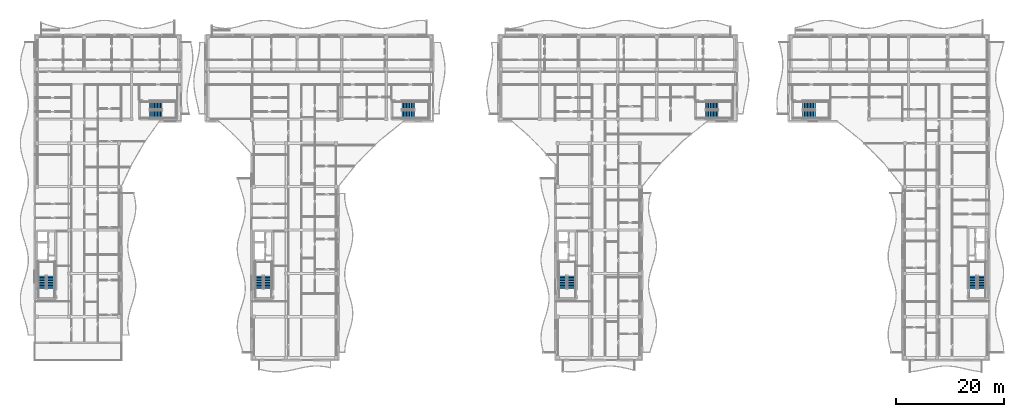
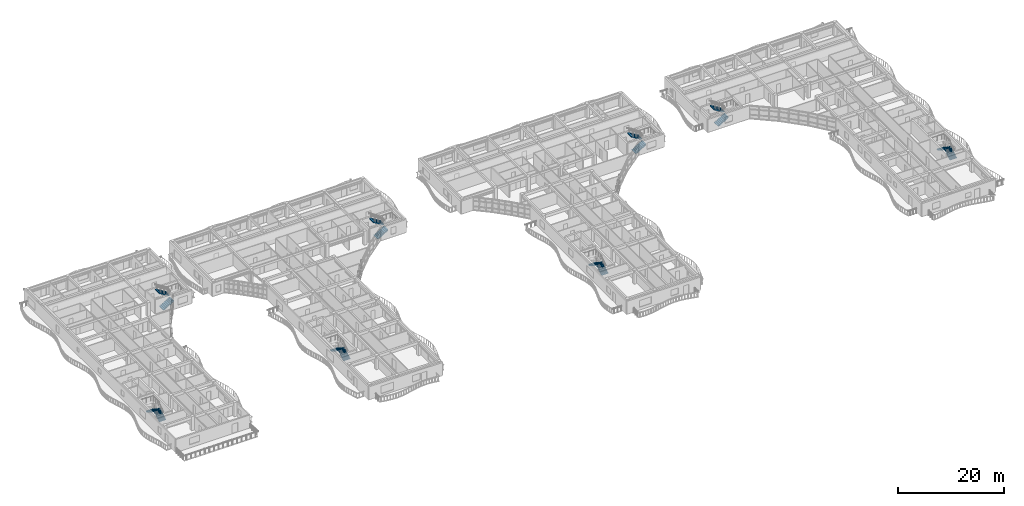
# One storey, part 47 of 72: 16 stair flights, 8 elements without a shape of their own.
"""IFC4 building model written with IfcOpenShell, lengths in metres."""

from ifc_helpers import new_model, si_unit, direction, frame, origin, place, context, subcontext, project, spatial, polyline, outline, extrude, material, type_object, element, aggregate, save


model = new_model("IFC4")

# Units and contexts
model_context = context("Model", 3, precision=1e-05, world=origin(), true_north=direction((0.0, 1.0)))
body_context = subcontext(model_context, "Body", "Model", "MODEL_VIEW")
ifc_project = project(units=[si_unit("LENGTHUNIT", "METRE"), si_unit("AREAUNIT", "SQUARE_METRE"), si_unit("VOLUMEUNIT", "CUBIC_METRE"), si_unit("PLANEANGLEUNIT", "RADIAN"), si_unit("MASSUNIT", "GRAM", prefix="KILO")], contexts=[model_context])

# Site, building, storey
site_placement = place(None, origin())
site = spatial("IfcSite", under=ifc_project, at=site_placement, CompositionType="ELEMENT")
building_placement = place(site_placement, origin())
building = spatial("IfcBuilding", under=site, at=building_placement, Name="Keldmere Railside Commons", CompositionType="ELEMENT")
storey_placement = place(building_placement, frame((0.0, 0.0, 16.9599609375)))
storey = spatial("IfcBuildingStorey", under=building, at=storey_placement, Name="L05", CompositionType="ELEMENT", Elevation=16.9599609375)

# Stair, stair flights
ifc_material = material(Name="Concrete H-30 (C30/37)", Category="concrete")
stair_type_1 = type_object("IfcStairType", Name="Basement Garage Dogleg Escape Stair 1450", PredefinedType="HALF_TURN_STAIR", material=ifc_material)
stair_1_placement = place(storey_placement, origin())
stair_1 = element("IfcStair", 1, at=stair_1_placement, inside=storey, type_object=stair_type_1, Name="L05 Block B Primary Escape Stair 1", PredefinedType="HALF_TURN_STAIR")
stair_flight_type_1 = type_object("IfcStairFlightType", Name="Basement Escape Stair Flight 1450", PredefinedType="STRAIGHT", material=ifc_material)
stair_flight_1_placement = place(storey_placement, frame((106.97509765625, 69.199951171875, 0.0), z_axis=(0.0, 0.0, 1.0), x_axis=(0.0, 1.0, 0.0)))
stair_flight_1 = element("IfcStairFlight", 2, at=stair_flight_1_placement, type_object=stair_flight_type_1, Name="ST-B1 flight 1", NumberOfRisers=9, NumberOfTreads=8, PredefinedType="STRAIGHT", RiserHeight=0.177777778, TreadLength=0.29, context=body_context, shape_type="SweptSolid", body=[
    extrude(outline(polyline([(0.0, 0.0), (0.0, 0.177734375), (0.2900390625, 0.177734375), (0.2900390625, 0.35546875), (0.580078125, 0.35546875), (0.580078125, 0.533447265625), (0.8701171875, 0.533447265625), (0.8701171875, 0.711181640625), (1.159912109375, 0.711181640625), (1.159912109375, 0.888916015625), (1.449951171875, 0.888916015625), (1.449951171875, 1.066650390625), (1.739990234375, 1.066650390625), (1.739990234375, 1.244384765625), (2.030029296875, 1.244384765625), (2.030029296875, 1.422119140625), (2.320068359375, 1.422119140625), (2.320068359375, 1.60009765625), (2.320068359375, 1.211181640625), (0.34423828125, 0.0), (0.0, 0.0)])), frame((0.0, 0.72509765625, 0.0), z_axis=(0.0, -1.0, 0.0), x_axis=(1.0, 0.0, 0.0)), (0.0, 0.0, 1.0), 1.449951171875),
])
stair_flight_2_placement = place(storey_placement, frame((105.375, 71.52001953125, 1.60009765625), z_axis=(0.0, 0.0, 1.0), x_axis=(0.0, -1.0, 0.0)))
stair_flight_2 = element("IfcStairFlight", 3, at=stair_flight_2_placement, type_object=stair_flight_type_1, Name="ST-B1 flight 2", NumberOfRisers=9, NumberOfTreads=8, PredefinedType="STRAIGHT", RiserHeight=0.177777778, TreadLength=0.29, context=body_context, shape_type="SweptSolid", body=[
    extrude(outline(polyline([(0.0, 0.0), (0.0, 0.177734375), (0.2900390625, 0.177734375), (0.2900390625, 0.35546875), (0.580078125, 0.35546875), (0.580078125, 0.533447265625), (0.8701171875, 0.533447265625), (0.8701171875, 0.711181640625), (1.159912109375, 0.711181640625), (1.159912109375, 0.888916015625), (1.449951171875, 0.888916015625), (1.449951171875, 1.066650390625), (1.739990234375, 1.066650390625), (1.739990234375, 1.244384765625), (2.030029296875, 1.244384765625), (2.030029296875, 1.422119140625), (2.320068359375, 1.422119140625), (2.320068359375, 1.60009765625), (2.320068359375, 1.211181640625), (0.34423828125, 0.0), (0.0, 0.0)])), frame((0.0, 0.72509765625, 0.0), z_axis=(0.0, -1.0, 0.0), x_axis=(1.0, 0.0, 0.0)), (0.0, 0.0, 1.0), 1.449951171875),
])
aggregate(stair_1, [stair_flight_1, stair_flight_2])

stair_2_placement = place(storey_placement, origin())
stair_2 = element("IfcStair", 4, at=stair_2_placement, inside=storey, type_object=stair_type_1, Name="L05 Block B Secondary Escape Stair 2", PredefinedType="HALF_TURN_STAIR")
stair_flight_3_placement = place(storey_placement, frame((131.699951171875, 101.324951171875, 0.0), z_axis=(0.0, 0.0, 1.0), x_axis=(1.0, 0.0, 0.0)))
stair_flight_3 = element("IfcStairFlight", 5, at=stair_flight_3_placement, type_object=stair_flight_type_1, Name="ST-B2 flight 1", NumberOfRisers=9, NumberOfTreads=8, PredefinedType="STRAIGHT", RiserHeight=0.177777778, TreadLength=0.29, context=body_context, shape_type="SweptSolid", body=[
    extrude(outline(polyline([(0.0, 0.0), (0.0, 0.177734375), (0.2900390625, 0.177734375), (0.2900390625, 0.35546875), (0.580078125, 0.35546875), (0.580078125, 0.533447265625), (0.8701171875, 0.533447265625), (0.8701171875, 0.711181640625), (1.159912109375, 0.711181640625), (1.159912109375, 0.888916015625), (1.449951171875, 0.888916015625), (1.449951171875, 1.066650390625), (1.739990234375, 1.066650390625), (1.739990234375, 1.244384765625), (2.030029296875, 1.244384765625), (2.030029296875, 1.422119140625), (2.320068359375, 1.422119140625), (2.320068359375, 1.60009765625), (2.320068359375, 1.211181640625), (0.34423828125, 0.0), (0.0, 0.0)])), frame((0.0, 0.72509765625, 0.0), z_axis=(0.0, -1.0, 0.0), x_axis=(1.0, 0.0, 0.0)), (0.0, 0.0, 1.0), 1.449951171875),
])
stair_flight_4_placement = place(storey_placement, frame((134.02001953125, 102.925048828125, 1.60009765625), z_axis=(0.0, 0.0, 1.0), x_axis=(-1.0, 0.0, 0.0)))
stair_flight_4 = element("IfcStairFlight", 6, at=stair_flight_4_placement, type_object=stair_flight_type_1, Name="ST-B2 flight 2", NumberOfRisers=9, NumberOfTreads=8, PredefinedType="STRAIGHT", RiserHeight=0.177777778, TreadLength=0.29, context=body_context, shape_type="SweptSolid", body=[
    extrude(outline(polyline([(0.0, 0.0), (0.0, 0.177734375), (0.2900390625, 0.177734375), (0.2900390625, 0.35546875), (0.580078125, 0.35546875), (0.580078125, 0.533447265625), (0.8701171875, 0.533447265625), (0.8701171875, 0.711181640625), (1.159912109375, 0.711181640625), (1.159912109375, 0.888916015625), (1.449951171875, 0.888916015625), (1.449951171875, 1.066650390625), (1.739990234375, 1.066650390625), (1.739990234375, 1.244384765625), (2.030029296875, 1.244384765625), (2.030029296875, 1.422119140625), (2.320068359375, 1.422119140625), (2.320068359375, 1.60009765625), (2.320068359375, 1.211181640625), (0.34423828125, 0.0), (0.0, 0.0)])), frame((0.0, 0.72509765625, 0.0), z_axis=(0.0, -1.0, 0.0), x_axis=(1.0, 0.0, 0.0)), (0.0, 0.0, 1.0), 1.449951171875),
])
aggregate(stair_2, [stair_flight_3, stair_flight_4])

stair_type_2 = type_object("IfcStairType", Name="Residential Core Dogleg Stair 1450", PredefinedType="HALF_TURN_STAIR", material=ifc_material)
stair_3_placement = place(storey_placement, origin())
stair_3 = element("IfcStair", 7, at=stair_3_placement, inside=storey, type_object=stair_type_2, Name="L05 Block D Primary Escape Stair 1", PredefinedType="HALF_TURN_STAIR")
stair_flight_type_2 = type_object("IfcStairFlightType", Name="Residential Core Stair Flight 1450", PredefinedType="STRAIGHT", material=ifc_material)
stair_flight_5_placement = place(storey_placement, frame((10.97509765625, 69.199951171875, 0.0), z_axis=(0.0, 0.0, 1.0), x_axis=(0.0, 1.0, 0.0)))
stair_flight_5 = element("IfcStairFlight", 8, at=stair_flight_5_placement, type_object=stair_flight_type_2, Name="ST-D1 flight 1", NumberOfRisers=9, NumberOfTreads=8, PredefinedType="STRAIGHT", RiserHeight=0.177777778, TreadLength=0.29, context=body_context, shape_type="SweptSolid", body=[
    extrude(outline(polyline([(0.0, 0.0), (0.0, 0.177734375), (0.2900390625, 0.177734375), (0.2900390625, 0.35546875), (0.580078125, 0.35546875), (0.580078125, 0.533447265625), (0.8701171875, 0.533447265625), (0.8701171875, 0.711181640625), (1.159912109375, 0.711181640625), (1.159912109375, 0.888916015625), (1.449951171875, 0.888916015625), (1.449951171875, 1.066650390625), (1.739990234375, 1.066650390625), (1.739990234375, 1.244384765625), (2.030029296875, 1.244384765625), (2.030029296875, 1.422119140625), (2.320068359375, 1.422119140625), (2.320068359375, 1.60009765625), (2.320068359375, 1.211181640625), (0.34423828125, 0.0), (0.0, 0.0)])), frame((0.0, 0.72509765625, 0.0), z_axis=(0.0, -1.0, 0.0), x_axis=(1.0, 0.0, 0.0)), (0.0, 0.0, 1.0), 1.449951171875),
])
stair_flight_6_placement = place(storey_placement, frame((9.375, 71.52001953125, 1.60009765625), z_axis=(0.0, 0.0, 1.0), x_axis=(0.0, -1.0, 0.0)))
stair_flight_6 = element("IfcStairFlight", 9, at=stair_flight_6_placement, type_object=stair_flight_type_2, Name="ST-D1 flight 2", NumberOfRisers=9, NumberOfTreads=8, PredefinedType="STRAIGHT", RiserHeight=0.177777778, TreadLength=0.29, context=body_context, shape_type="SweptSolid", body=[
    extrude(outline(polyline([(0.0, 0.0), (0.0, 0.177734375), (0.2900390625, 0.177734375), (0.2900390625, 0.35546875), (0.580078125, 0.35546875), (0.580078125, 0.533447265625), (0.8701171875, 0.533447265625), (0.8701171875, 0.711181640625), (1.159912109375, 0.711181640625), (1.159912109375, 0.888916015625), (1.449951171875, 0.888916015625), (1.449951171875, 1.066650390625), (1.739990234375, 1.066650390625), (1.739990234375, 1.244384765625), (2.030029296875, 1.244384765625), (2.030029296875, 1.422119140625), (2.320068359375, 1.422119140625), (2.320068359375, 1.60009765625), (2.320068359375, 1.211181640625), (0.34423828125, 0.0), (0.0, 0.0)])), frame((0.0, 0.72509765625, 0.0), z_axis=(0.0, -1.0, 0.0), x_axis=(1.0, 0.0, 0.0)), (0.0, 0.0, 1.0), 1.449951171875),
])
aggregate(stair_3, [stair_flight_5, stair_flight_6])

stair_4_placement = place(storey_placement, origin())
stair_4 = element("IfcStair", 10, at=stair_4_placement, inside=storey, type_object=stair_type_2, Name="L05 Block D Secondary Escape Stair 2", PredefinedType="HALF_TURN_STAIR")
stair_flight_7_placement = place(storey_placement, frame((29.199951171875, 101.324951171875, 0.0), z_axis=(0.0, 0.0, 1.0), x_axis=(1.0, 0.0, 0.0)))
stair_flight_7 = element("IfcStairFlight", 11, at=stair_flight_7_placement, type_object=stair_flight_type_2, Name="ST-D2 flight 1", NumberOfRisers=9, NumberOfTreads=8, PredefinedType="STRAIGHT", RiserHeight=0.177777778, TreadLength=0.29, context=body_context, shape_type="SweptSolid", body=[
    extrude(outline(polyline([(0.0, 0.0), (0.0, 0.177734375), (0.2900390625, 0.177734375), (0.2900390625, 0.35546875), (0.580078125, 0.35546875), (0.580078125, 0.533447265625), (0.8701171875, 0.533447265625), (0.8701171875, 0.711181640625), (1.159912109375, 0.711181640625), (1.159912109375, 0.888916015625), (1.449951171875, 0.888916015625), (1.449951171875, 1.066650390625), (1.739990234375, 1.066650390625), (1.739990234375, 1.244384765625), (2.030029296875, 1.244384765625), (2.030029296875, 1.422119140625), (2.320068359375, 1.422119140625), (2.320068359375, 1.60009765625), (2.320068359375, 1.211181640625), (0.34423828125, 0.0), (0.0, 0.0)])), frame((0.0, 0.72509765625, 0.0), z_axis=(0.0, -1.0, 0.0), x_axis=(1.0, 0.0, 0.0)), (0.0, 0.0, 1.0), 1.449951171875),
])
stair_flight_8_placement = place(storey_placement, frame((31.52001953125, 102.925048828125, 1.60009765625), z_axis=(0.0, 0.0, 1.0), x_axis=(-1.0, 0.0, 0.0)))
stair_flight_8 = element("IfcStairFlight", 12, at=stair_flight_8_placement, type_object=stair_flight_type_2, Name="ST-D2 flight 2", NumberOfRisers=9, NumberOfTreads=8, PredefinedType="STRAIGHT", RiserHeight=0.177777778, TreadLength=0.29, context=body_context, shape_type="SweptSolid", body=[
    extrude(outline(polyline([(0.0, 0.0), (0.0, 0.177734375), (0.2900390625, 0.177734375), (0.2900390625, 0.35546875), (0.580078125, 0.35546875), (0.580078125, 0.533447265625), (0.8701171875, 0.533447265625), (0.8701171875, 0.711181640625), (1.159912109375, 0.711181640625), (1.159912109375, 0.888916015625), (1.449951171875, 0.888916015625), (1.449951171875, 1.066650390625), (1.739990234375, 1.066650390625), (1.739990234375, 1.244384765625), (2.030029296875, 1.244384765625), (2.030029296875, 1.422119140625), (2.320068359375, 1.422119140625), (2.320068359375, 1.60009765625), (2.320068359375, 1.211181640625), (0.34423828125, 0.0), (0.0, 0.0)])), frame((0.0, 0.72509765625, 0.0), z_axis=(0.0, -1.0, 0.0), x_axis=(1.0, 0.0, 0.0)), (0.0, 0.0, 1.0), 1.449951171875),
])
aggregate(stair_4, [stair_flight_7, stair_flight_8])

stair_5_placement = place(storey_placement, origin())
stair_5 = element("IfcStair", 13, at=stair_5_placement, inside=storey, type_object=stair_type_2, Name="L05 Block C Primary Escape Stair 1", PredefinedType="HALF_TURN_STAIR")
stair_flight_9_placement = place(storey_placement, frame((50.97509765625, 69.199951171875, 0.0), z_axis=(0.0, 0.0, 1.0), x_axis=(0.0, 1.0, 0.0)))
stair_flight_9 = element("IfcStairFlight", 14, at=stair_flight_9_placement, type_object=stair_flight_type_2, Name="ST-C1 flight 1", NumberOfRisers=9, NumberOfTreads=8, PredefinedType="STRAIGHT", RiserHeight=0.177777778, TreadLength=0.29, context=body_context, shape_type="SweptSolid", body=[
    extrude(outline(polyline([(0.0, 0.0), (0.0, 0.177734375), (0.2900390625, 0.177734375), (0.2900390625, 0.35546875), (0.580078125, 0.35546875), (0.580078125, 0.533447265625), (0.8701171875, 0.533447265625), (0.8701171875, 0.711181640625), (1.159912109375, 0.711181640625), (1.159912109375, 0.888916015625), (1.449951171875, 0.888916015625), (1.449951171875, 1.066650390625), (1.739990234375, 1.066650390625), (1.739990234375, 1.244384765625), (2.030029296875, 1.244384765625), (2.030029296875, 1.422119140625), (2.320068359375, 1.422119140625), (2.320068359375, 1.60009765625), (2.320068359375, 1.211181640625), (0.34423828125, 0.0), (0.0, 0.0)])), frame((0.0, 0.72509765625, 0.0), z_axis=(0.0, -1.0, 0.0), x_axis=(1.0, 0.0, 0.0)), (0.0, 0.0, 1.0), 1.449951171875),
])
stair_flight_10_placement = place(storey_placement, frame((49.375, 71.52001953125, 1.60009765625), z_axis=(0.0, 0.0, 1.0), x_axis=(0.0, -1.0, 0.0)))
stair_flight_10 = element("IfcStairFlight", 15, at=stair_flight_10_placement, type_object=stair_flight_type_2, Name="ST-C1 flight 2", NumberOfRisers=9, NumberOfTreads=8, PredefinedType="STRAIGHT", RiserHeight=0.177777778, TreadLength=0.29, context=body_context, shape_type="SweptSolid", body=[
    extrude(outline(polyline([(0.0, 0.0), (0.0, 0.177734375), (0.2900390625, 0.177734375), (0.2900390625, 0.35546875), (0.580078125, 0.35546875), (0.580078125, 0.533447265625), (0.8701171875, 0.533447265625), (0.8701171875, 0.711181640625), (1.159912109375, 0.711181640625), (1.159912109375, 0.888916015625), (1.449951171875, 0.888916015625), (1.449951171875, 1.066650390625), (1.739990234375, 1.066650390625), (1.739990234375, 1.244384765625), (2.030029296875, 1.244384765625), (2.030029296875, 1.422119140625), (2.320068359375, 1.422119140625), (2.320068359375, 1.60009765625), (2.320068359375, 1.211181640625), (0.34423828125, 0.0), (0.0, 0.0)])), frame((0.0, 0.72509765625, 0.0), z_axis=(0.0, -1.0, 0.0), x_axis=(1.0, 0.0, 0.0)), (0.0, 0.0, 1.0), 1.449951171875),
])
aggregate(stair_5, [stair_flight_9, stair_flight_10])

stair_6_placement = place(storey_placement, origin())
stair_6 = element("IfcStair", 16, at=stair_6_placement, inside=storey, type_object=stair_type_2, Name="L05 Block C Secondary Escape Stair 2", PredefinedType="HALF_TURN_STAIR")
stair_flight_11_placement = place(storey_placement, frame((75.699951171875, 101.324951171875, 0.0), z_axis=(0.0, 0.0, 1.0), x_axis=(1.0, 0.0, 0.0)))
stair_flight_11 = element("IfcStairFlight", 17, at=stair_flight_11_placement, type_object=stair_flight_type_2, Name="ST-C2 flight 1", NumberOfRisers=9, NumberOfTreads=8, PredefinedType="STRAIGHT", RiserHeight=0.177777778, TreadLength=0.29, context=body_context, shape_type="SweptSolid", body=[
    extrude(outline(polyline([(0.0, 0.0), (0.0, 0.177734375), (0.2900390625, 0.177734375), (0.2900390625, 0.35546875), (0.580078125, 0.35546875), (0.580078125, 0.533447265625), (0.8701171875, 0.533447265625), (0.8701171875, 0.711181640625), (1.159912109375, 0.711181640625), (1.159912109375, 0.888916015625), (1.449951171875, 0.888916015625), (1.449951171875, 1.066650390625), (1.739990234375, 1.066650390625), (1.739990234375, 1.244384765625), (2.030029296875, 1.244384765625), (2.030029296875, 1.422119140625), (2.320068359375, 1.422119140625), (2.320068359375, 1.60009765625), (2.320068359375, 1.211181640625), (0.34423828125, 0.0), (0.0, 0.0)])), frame((0.0, 0.72509765625, 0.0), z_axis=(0.0, -1.0, 0.0), x_axis=(1.0, 0.0, 0.0)), (0.0, 0.0, 1.0), 1.449951171875),
])
stair_flight_12_placement = place(storey_placement, frame((78.02001953125, 102.925048828125, 1.60009765625), z_axis=(0.0, 0.0, 1.0), x_axis=(-1.0, 0.0, 0.0)))
stair_flight_12 = element("IfcStairFlight", 18, at=stair_flight_12_placement, type_object=stair_flight_type_2, Name="ST-C2 flight 2", NumberOfRisers=9, NumberOfTreads=8, PredefinedType="STRAIGHT", RiserHeight=0.177777778, TreadLength=0.29, context=body_context, shape_type="SweptSolid", body=[
    extrude(outline(polyline([(0.0, 0.0), (0.0, 0.177734375), (0.2900390625, 0.177734375), (0.2900390625, 0.35546875), (0.580078125, 0.35546875), (0.580078125, 0.533447265625), (0.8701171875, 0.533447265625), (0.8701171875, 0.711181640625), (1.159912109375, 0.711181640625), (1.159912109375, 0.888916015625), (1.449951171875, 0.888916015625), (1.449951171875, 1.066650390625), (1.739990234375, 1.066650390625), (1.739990234375, 1.244384765625), (2.030029296875, 1.244384765625), (2.030029296875, 1.422119140625), (2.320068359375, 1.422119140625), (2.320068359375, 1.60009765625), (2.320068359375, 1.211181640625), (0.34423828125, 0.0), (0.0, 0.0)])), frame((0.0, 0.72509765625, 0.0), z_axis=(0.0, -1.0, 0.0), x_axis=(1.0, 0.0, 0.0)), (0.0, 0.0, 1.0), 1.449951171875),
])
aggregate(stair_6, [stair_flight_11, stair_flight_12])

stair_7_placement = place(storey_placement, origin())
stair_7 = element("IfcStair", 19, at=stair_7_placement, inside=storey, type_object=stair_type_2, Name="L05 Block A Primary Escape Stair 1", PredefinedType="HALF_TURN_STAIR")
stair_flight_13_placement = place(storey_placement, frame((182.574951171875, 69.199951171875, 0.0), z_axis=(0.0, 0.0, 1.0), x_axis=(0.0, 1.0, 0.0)))
stair_flight_13 = element("IfcStairFlight", 20, at=stair_flight_13_placement, type_object=stair_flight_type_2, Name="ST-A1 flight 1", NumberOfRisers=9, NumberOfTreads=8, PredefinedType="STRAIGHT", RiserHeight=0.177777778, TreadLength=0.29, context=body_context, shape_type="SweptSolid", body=[
    extrude(outline(polyline([(0.0, 0.0), (0.0, 0.177734375), (0.2900390625, 0.177734375), (0.2900390625, 0.35546875), (0.580078125, 0.35546875), (0.580078125, 0.533447265625), (0.8701171875, 0.533447265625), (0.8701171875, 0.711181640625), (1.159912109375, 0.711181640625), (1.159912109375, 0.888916015625), (1.449951171875, 0.888916015625), (1.449951171875, 1.066650390625), (1.739990234375, 1.066650390625), (1.739990234375, 1.244384765625), (2.030029296875, 1.244384765625), (2.030029296875, 1.422119140625), (2.320068359375, 1.422119140625), (2.320068359375, 1.60009765625), (2.320068359375, 1.211181640625), (0.34423828125, 0.0), (0.0, 0.0)])), frame((0.0, 0.72509765625, 0.0), z_axis=(0.0, -1.0, 0.0), x_axis=(1.0, 0.0, 0.0)), (0.0, 0.0, 1.0), 1.449951171875),
])
stair_flight_14_placement = place(storey_placement, frame((180.97509765625, 71.52001953125, 1.60009765625), z_axis=(0.0, 0.0, 1.0), x_axis=(0.0, -1.0, 0.0)))
stair_flight_14 = element("IfcStairFlight", 21, at=stair_flight_14_placement, type_object=stair_flight_type_2, Name="ST-A1 flight 2", NumberOfRisers=9, NumberOfTreads=8, PredefinedType="STRAIGHT", RiserHeight=0.177777778, TreadLength=0.29, context=body_context, shape_type="SweptSolid", body=[
    extrude(outline(polyline([(0.0, 0.0), (0.0, 0.177734375), (0.2900390625, 0.177734375), (0.2900390625, 0.35546875), (0.580078125, 0.35546875), (0.580078125, 0.533447265625), (0.8701171875, 0.533447265625), (0.8701171875, 0.711181640625), (1.159912109375, 0.711181640625), (1.159912109375, 0.888916015625), (1.449951171875, 0.888916015625), (1.449951171875, 1.066650390625), (1.739990234375, 1.066650390625), (1.739990234375, 1.244384765625), (2.030029296875, 1.244384765625), (2.030029296875, 1.422119140625), (2.320068359375, 1.422119140625), (2.320068359375, 1.60009765625), (2.320068359375, 1.211181640625), (0.34423828125, 0.0), (0.0, 0.0)])), frame((0.0, 0.72509765625, 0.0), z_axis=(0.0, -1.0, 0.0), x_axis=(1.0, 0.0, 0.0)), (0.0, 0.0, 1.0), 1.449951171875),
])
aggregate(stair_7, [stair_flight_13, stair_flight_14])

stair_8_placement = place(storey_placement, origin())
stair_8 = element("IfcStair", 22, at=stair_8_placement, inside=storey, type_object=stair_type_2, Name="L05 Block A Secondary Escape Stair 2", PredefinedType="HALF_TURN_STAIR")
stair_flight_15_placement = place(storey_placement, frame((149.60009765625, 101.324951171875, 0.0), z_axis=(0.0, 0.0, 1.0), x_axis=(1.0, 0.0, 0.0)))
stair_flight_15 = element("IfcStairFlight", 23, at=stair_flight_15_placement, type_object=stair_flight_type_2, Name="ST-A2 flight 1", NumberOfRisers=9, NumberOfTreads=8, PredefinedType="STRAIGHT", RiserHeight=0.177777778, TreadLength=0.29, context=body_context, shape_type="SweptSolid", body=[
    extrude(outline(polyline([(0.0, 0.0), (0.0, 0.177734375), (0.2900390625, 0.177734375), (0.2900390625, 0.35546875), (0.580078125, 0.35546875), (0.580078125, 0.533447265625), (0.8701171875, 0.533447265625), (0.8701171875, 0.711181640625), (1.159912109375, 0.711181640625), (1.159912109375, 0.888916015625), (1.449951171875, 0.888916015625), (1.449951171875, 1.066650390625), (1.739990234375, 1.066650390625), (1.739990234375, 1.244384765625), (2.030029296875, 1.244384765625), (2.030029296875, 1.422119140625), (2.320068359375, 1.422119140625), (2.320068359375, 1.60009765625), (2.320068359375, 1.211181640625), (0.34423828125, 0.0), (0.0, 0.0)])), frame((0.0, 0.72509765625, 0.0), z_axis=(0.0, -1.0, 0.0), x_axis=(1.0, 0.0, 0.0)), (0.0, 0.0, 1.0), 1.449951171875),
])
stair_flight_16_placement = place(storey_placement, frame((151.919921875, 102.925048828125, 1.60009765625), z_axis=(0.0, 0.0, 1.0), x_axis=(-1.0, 0.0, 0.0)))
stair_flight_16 = element("IfcStairFlight", 24, at=stair_flight_16_placement, type_object=stair_flight_type_2, Name="ST-A2 flight 2", NumberOfRisers=9, NumberOfTreads=8, PredefinedType="STRAIGHT", RiserHeight=0.177777778, TreadLength=0.29, context=body_context, shape_type="SweptSolid", body=[
    extrude(outline(polyline([(0.0, 0.0), (0.0, 0.177734375), (0.2900390625, 0.177734375), (0.2900390625, 0.35546875), (0.580078125, 0.35546875), (0.580078125, 0.533447265625), (0.8701171875, 0.533447265625), (0.8701171875, 0.711181640625), (1.159912109375, 0.711181640625), (1.159912109375, 0.888916015625), (1.449951171875, 0.888916015625), (1.449951171875, 1.066650390625), (1.739990234375, 1.066650390625), (1.739990234375, 1.244384765625), (2.030029296875, 1.244384765625), (2.030029296875, 1.422119140625), (2.320068359375, 1.422119140625), (2.320068359375, 1.60009765625), (2.320068359375, 1.211181640625), (0.34423828125, 0.0), (0.0, 0.0)])), frame((0.0, 0.72509765625, 0.0), z_axis=(0.0, -1.0, 0.0), x_axis=(1.0, 0.0, 0.0)), (0.0, 0.0, 1.0), 1.449951171875),
])
aggregate(stair_8, [stair_flight_15, stair_flight_16])

save(model, "model.ifc")
